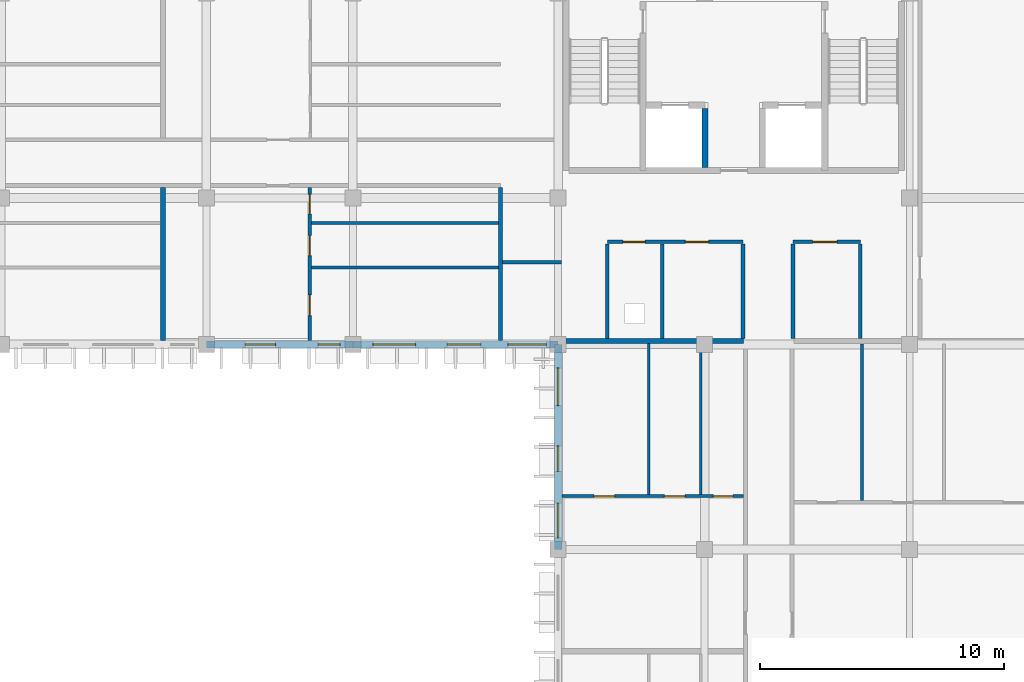
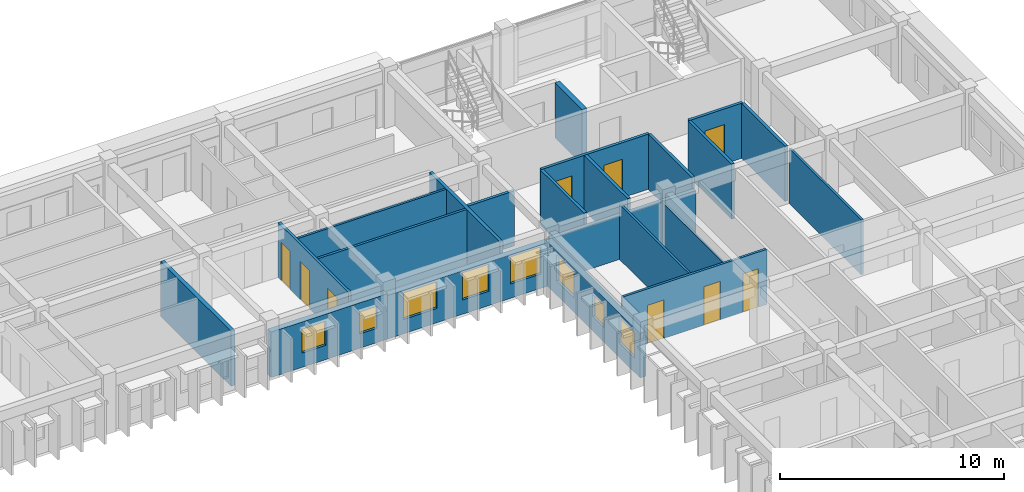
# One storey, part 35 of 66: 22 walls, 9 doors, 8 windows, 17 openings.
"""IFC4 building model written with IfcOpenShell, lengths in metres."""

from ifc_helpers import new_model, si_unit, direction, frame, frame_2d, origin, place, context, subcontext, project, spatial, rectangle, extrude, material, layer, layer_set, type_object, element, fill, save


model = new_model("IFC4")

# Units and contexts
model_context = context("Model", 3, precision=1e-05, world=origin(), true_north=direction((0.0, 1.0)))
body_context = subcontext(model_context, "Body", "Model", "MODEL_VIEW")
ifc_project = project(units=[si_unit("LENGTHUNIT", "METRE"), si_unit("AREAUNIT", "SQUARE_METRE"), si_unit("VOLUMEUNIT", "CUBIC_METRE"), si_unit("PLANEANGLEUNIT", "RADIAN"), si_unit("MASSUNIT", "GRAM", prefix="KILO"), si_unit("THERMODYNAMICTEMPERATUREUNIT", "KELVIN")], contexts=[model_context])

# Site, building, storey
site_placement = place(None, origin())
site = spatial("IfcSite", under=ifc_project, at=site_placement, CompositionType="ELEMENT")
building_placement = place(site_placement, origin())
building = spatial("IfcBuilding", under=site, at=building_placement, Name="Thalorik Housing Commons", CompositionType="ELEMENT")
storey_placement = place(building_placement, frame((0.0, 0.0, 21.300048828125)))
storey = spatial("IfcBuildingStorey", under=building, at=storey_placement, Name="L06", CompositionType="ELEMENT", Elevation=21.300048828125)

# Walls
ifc_material_1 = material(Name="Concrete C40/50", Category="concrete")
ifc_layer_1 = layer(ifc_material_1, 0.25, Name="Concrete C40/50", Category="concrete")
ifc_layer_set_1 = layer_set([ifc_layer_1], Name="Concrete C40/50")
wall_type_1 = type_object("IfcWallType", Name="ARC-WAL-CORE-250", PredefinedType="SHEAR", material=ifc_layer_set_1)
wall_1_placement = place(storey_placement, frame((158.425048828125, 118.875, 0.0), z_axis=(0.0, 0.0, 1.0), x_axis=(0.0, -1.0, 0.0)))
element("IfcWall", 1, at=wall_1_placement, inside=storey, type_object=wall_type_1, Name="L06 Lift 1 Cheek Wall", PredefinedType="SHEAR", context=body_context, shape_type="SweptSolid", body=[
    extrude(rectangle(XDim=2.425048828125, YDim=0.25, at=frame_2d((1.21240234375, 0.0))), origin(), (0.0, 0.0, 1.0), 3.0),
])
ifc_material_2 = material(Name="Masonry fire-rated corridor wall", Category="masonry")
ifc_layer_2 = layer(ifc_material_2, 0.14990234375, Name="Masonry fire-rated corridor wall", Category="masonry")
ifc_layer_set_2 = layer_set([ifc_layer_2], Name="Masonry fire-rated corridor wall")
wall_type_2 = type_object("IfcWallType", Name="ARC-WAL-CORR-150", PredefinedType="PARTITIONING", material=ifc_layer_set_2)
wall_2_placement = place(storey_placement, frame((150.134521484375, 112.570068359375, 0.0), z_axis=(0.0, 0.0, 1.0), x_axis=(1.0, 0.0, 0.0)))
element("IfcWall", 2, at=wall_2_placement, inside=storey, type_object=wall_type_2, Name="L06 Block B Vestibule South Wall", PredefinedType="PARTITIONING", context=body_context, shape_type="SweptSolid", body=[
    extrude(rectangle(XDim=2.405517578125, YDim=0.14990234375, at=frame_2d((1.20263671875, 0.0))), origin(), (0.0, 0.0, 1.0), 3.0),
])
ifc_layer_3 = layer(ifc_material_2, 0.1650390625, Name="Masonry fire-rated corridor wall", Category="masonry")
ifc_layer_set_3 = layer_set([ifc_layer_3], Name="Masonry fire-rated corridor wall")
wall_type_3 = type_object("IfcWallType", Name="ARC-WAL-CORR-165", PredefinedType="PARTITIONING", material=ifc_layer_set_3)
wall_3_placement = place(storey_placement, frame((150.050048828125, 109.3544921875, 0.0), z_axis=(0.0, 0.0, 1.0), x_axis=(0.0, 1.0, 0.0)))
element("IfcWall", 3, at=wall_3_placement, inside=storey, type_object=wall_type_3, Name="L06 Block B Vestibule Cheek Wall", PredefinedType="PARTITIONING", context=body_context, shape_type="SweptSolid", body=[
    extrude(rectangle(XDim=6.281005859375, YDim=0.1650390625, at=frame_2d((3.140625, 0.0))), origin(), (0.0, 0.0, 1.0), 3.0),
])

# Wall, openings, windows
ifc_material_3 = material(Name="White precast concrete C40/50", Category="concrete")
ifc_layer_4 = layer(ifc_material_3, 0.304931640625, Name="White precast concrete C40/50", Category="concrete")
ifc_layer_set_4 = layer_set([ifc_layer_4], Name="White precast concrete C40/50")
wall_type_4 = type_object("IfcWallType", Name="ARC-WAL-EXT-305", PredefinedType="STANDARD", material=ifc_layer_set_4)
wall_4_placement = place(storey_placement, frame((138.0, 109.199951171875, 0.0), z_axis=(0.0, 0.0, 1.0), x_axis=(1.0, 0.0, 0.0)))
wall_4 = element("IfcWall", 4, at=wall_4_placement, inside=storey, type_object=wall_type_4, Name="L06 Exterior Wall WAL-EXT-L06-B-0622", PredefinedType="STANDARD", context=body_context, shape_type="SweptSolid", body=[
    extrude(rectangle(XDim=6.0, YDim=0.304931640625, at=frame_2d((3.0, 0.0))), origin(), (0.0, 0.0, 1.0), 2.474853515625),
])
opening_1_placement = place(wall_4_placement, frame((1.58740234375, 0.0, 0.780029296875)))
opening_1 = element("IfcOpeningElement", 5, at=opening_1_placement, cuts=wall_4, Name="Opening W-46", PredefinedType="OPENING", context=body_context, shape_type="SweptSolid", body=[
    extrude(rectangle(XDim=1.25, YDim=1.300048828125, at=frame_2d((0.625, 0.64990234375))), frame((0.0, 0.16259765625, 0.0), z_axis=(0.0, -1.0, 0.0), x_axis=(1.0, 0.0, 0.0)), (0.0, 0.0, 1.0), 0.324951171875),
])
opening_2_placement = place(wall_4_placement, frame((4.572509765625, 0.0, 0.780029296875)))
opening_2 = element("IfcOpeningElement", 6, at=opening_2_placement, cuts=wall_4, Name="Opening W-01", PredefinedType="OPENING", context=body_context, shape_type="SweptSolid", body=[
    extrude(rectangle(XDim=0.89990234375, YDim=1.199951171875, at=frame_2d((0.449951171875, 0.60009765625))), frame((0.0, 0.16259765625, 0.0), z_axis=(0.0, -1.0, 0.0), x_axis=(1.0, 0.0, 0.0)), (0.0, 0.0, 1.0), 0.324951171875),
])
ifc_material_4 = material(Name="Anodised aluminium and solar-control low-E glass", Category="aluminium")
window_type_1 = type_object("IfcWindowType", Name="ARC-WIN-01", PartitioningType="SINGLE_PANEL", PredefinedType="WINDOW", material=ifc_material_4)
window_1_placement = place(opening_2_placement, origin())
window_1 = element("IfcWindow", 7, at=window_1_placement, inside=storey, type_object=window_type_1, Name="L06 Facade Window 1132", OverallHeight=1.199951171875, OverallWidth=0.89990234375, PartitioningType="SINGLE_PANEL", PredefinedType="WINDOW", context=body_context, shape_type="SweptSolid", body=[
    extrude(rectangle(XDim=0.89990234375, YDim=1.199951171875, at=frame_2d((0.449951171875, 0.60009765625))), frame((0.0, 0.030029296875, 0.0), z_axis=(0.0, -1.0, 0.0), x_axis=(1.0, 0.0, 0.0)), (0.0, 0.0, 1.0), 0.06005859375),
])
fill(opening_2, window_1)
window_type_2 = type_object("IfcWindowType", Name="ARC-WIN-46", PartitioningType="SINGLE_PANEL", PredefinedType="WINDOW", material=ifc_material_4)
window_2_placement = place(opening_1_placement, origin())
window_2 = element("IfcWindow", 8, at=window_2_placement, inside=storey, type_object=window_type_2, Name="L06 Facade Window 1131", OverallHeight=1.300048828125, OverallWidth=1.25, PartitioningType="SINGLE_PANEL", PredefinedType="WINDOW", context=body_context, shape_type="SweptSolid", body=[
    extrude(rectangle(XDim=1.25, YDim=1.300048828125, at=frame_2d((0.625, 0.64990234375))), frame((0.0, 0.030029296875, 0.0), z_axis=(0.0, -1.0, 0.0), x_axis=(1.0, 0.0, 0.0)), (0.0, 0.0, 1.0), 0.06005859375),
])
fill(opening_1, window_2)

wall_5_placement = place(storey_placement, frame((144.0, 109.199951171875, 0.0), z_axis=(0.0, 0.0, 1.0), x_axis=(1.0, 0.0, 0.0)))
wall_5 = element("IfcWall", 9, at=wall_5_placement, inside=storey, type_object=wall_type_4, Name="L06 Exterior Wall WAL-EXT-L06-B-0623", PredefinedType="STANDARD", context=body_context, shape_type="SweptSolid", body=[
    extrude(rectangle(XDim=8.39990234375, YDim=0.304931640625, at=frame_2d((4.199951171875, 0.0))), origin(), (0.0, 0.0, 1.0), 2.375),
])
opening_3_placement = place(wall_5_placement, frame((0.81494140625, 0.0, 0.780029296875)))
opening_3 = element("IfcOpeningElement", 10, at=opening_3_placement, cuts=wall_5, Name="Opening W-17", PredefinedType="OPENING", context=body_context, shape_type="SweptSolid", body=[
    extrude(rectangle(XDim=1.75, YDim=1.449951171875, at=frame_2d((0.875, 0.72509765625))), frame((0.0, 0.16259765625, 0.0), z_axis=(0.0, -1.0, 0.0), x_axis=(1.0, 0.0, 0.0)), (0.0, 0.0, 1.0), 0.324951171875),
])
opening_4_placement = place(wall_5_placement, frame((3.860107421875, 0.0, 0.780029296875)))
opening_4 = element("IfcOpeningElement", 11, at=opening_4_placement, cuts=wall_5, Name="Opening W-49", PredefinedType="OPENING", context=body_context, shape_type="SweptSolid", body=[
    extrude(rectangle(XDim=1.3798828125, YDim=1.47998046875, at=frame_2d((0.68994140625, 0.739990234375))), frame((0.0, 0.16259765625, 0.0), z_axis=(0.0, -1.0, 0.0), x_axis=(1.0, 0.0, 0.0)), (0.0, 0.0, 1.0), 0.324951171875),
])
opening_5_placement = place(wall_5_placement, frame((6.340087890625, 0.0, 0.780029296875)))
opening_5 = element("IfcOpeningElement", 12, at=opening_5_placement, cuts=wall_5, Name="Opening W-53", PredefinedType="OPENING", context=body_context, shape_type="SweptSolid", body=[
    extrude(rectangle(XDim=1.580078125, YDim=1.47998046875, at=frame_2d((0.7900390625, 0.739990234375))), frame((0.0, 0.16259765625, 0.0), z_axis=(0.0, -1.0, 0.0), x_axis=(1.0, 0.0, 0.0)), (0.0, 0.0, 1.0), 0.324951171875),
])
window_type_3 = type_object("IfcWindowType", Name="ARC-WIN-17", PartitioningType="DOUBLE_PANEL_VERTICAL", PredefinedType="WINDOW", material=ifc_material_4)
window_3_placement = place(opening_3_placement, origin())
window_3 = element("IfcWindow", 13, at=window_3_placement, inside=storey, type_object=window_type_3, Name="L06 Facade Window 1133", OverallHeight=1.449951171875, OverallWidth=1.75, PartitioningType="DOUBLE_PANEL_VERTICAL", PredefinedType="WINDOW", context=body_context, shape_type="SweptSolid", body=[
    extrude(rectangle(XDim=1.75, YDim=1.449951171875, at=frame_2d((0.875, 0.72509765625))), frame((0.0, 0.030029296875, 0.0), z_axis=(0.0, -1.0, 0.0), x_axis=(1.0, 0.0, 0.0)), (0.0, 0.0, 1.0), 0.06005859375),
])
fill(opening_3, window_3)
window_type_4 = type_object("IfcWindowType", Name="ARC-WIN-49", PartitioningType="SINGLE_PANEL", PredefinedType="WINDOW", material=ifc_material_4)
window_4_placement = place(opening_4_placement, origin())
window_4 = element("IfcWindow", 14, at=window_4_placement, inside=storey, type_object=window_type_4, Name="L06 Facade Window 1134", OverallHeight=1.47998046875, OverallWidth=1.3798828125, PartitioningType="SINGLE_PANEL", PredefinedType="WINDOW", context=body_context, shape_type="SweptSolid", body=[
    extrude(rectangle(XDim=1.3798828125, YDim=1.47998046875, at=frame_2d((0.68994140625, 0.739990234375))), frame((0.0, 0.030029296875, 0.0), z_axis=(0.0, -1.0, 0.0), x_axis=(1.0, 0.0, 0.0)), (0.0, 0.0, 1.0), 0.06005859375),
])
fill(opening_4, window_4)
window_type_5 = type_object("IfcWindowType", Name="ARC-WIN-53", PartitioningType="SINGLE_PANEL", PredefinedType="WINDOW", material=ifc_material_4)
window_5_placement = place(opening_5_placement, origin())
window_5 = element("IfcWindow", 15, at=window_5_placement, inside=storey, type_object=window_type_5, Name="L06 Facade Window 1135", OverallHeight=1.47998046875, OverallWidth=1.580078125, PartitioningType="SINGLE_PANEL", PredefinedType="WINDOW", context=body_context, shape_type="SweptSolid", body=[
    extrude(rectangle(XDim=1.580078125, YDim=1.47998046875, at=frame_2d((0.7900390625, 0.739990234375))), frame((0.0, 0.030029296875, 0.0), z_axis=(0.0, -1.0, 0.0), x_axis=(1.0, 0.0, 0.0)), (0.0, 0.0, 1.0), 0.06005859375),
])
fill(opening_5, window_5)

wall_6_placement = place(storey_placement, frame((152.39990234375, 109.199951171875, 0.0), z_axis=(0.0, 0.0, 1.0), x_axis=(0.0, -1.0, 0.0)))
wall_6 = element("IfcWall", 16, at=wall_6_placement, inside=storey, type_object=wall_type_4, Name="L06 Exterior Wall WAL-EXT-L06-B-0624", PredefinedType="STANDARD", context=body_context, shape_type="SweptSolid", body=[
    extrude(rectangle(XDim=8.39990234375, YDim=0.304931640625, at=frame_2d((4.199951171875, 0.0))), origin(), (0.0, 0.0, 1.0), 2.425048828125),
])
opening_6_placement = place(wall_6_placement, frame((0.956298828125, 0.0, 0.780029296875)))
opening_6 = element("IfcOpeningElement", 17, at=opening_6_placement, cuts=wall_6, Name="Opening W-12", PredefinedType="OPENING", context=body_context, shape_type="SweptSolid", body=[
    extrude(rectangle(XDim=1.550048828125, YDim=1.39990234375, at=frame_2d((0.77490234375, 0.699951171875))), frame((0.0, 0.16259765625, 0.0), z_axis=(0.0, -1.0, 0.0), x_axis=(1.0, 0.0, 0.0)), (0.0, 0.0, 1.0), 0.324951171875),
])
opening_7_placement = place(wall_6_placement, frame((4.148681640625, 0.0, 0.780029296875)))
opening_7 = element("IfcOpeningElement", 18, at=opening_7_placement, cuts=wall_6, Name="Opening W-44", PredefinedType="OPENING", context=body_context, shape_type="SweptSolid", body=[
    extrude(rectangle(XDim=1.050048828125, YDim=1.199951171875, at=frame_2d((0.52490234375, 0.60009765625))), frame((0.0, 0.16259765625, 0.0), z_axis=(0.0, -1.0, 0.0), x_axis=(1.0, 0.0, 0.0)), (0.0, 0.0, 1.0), 0.324951171875),
])
opening_8_placement = place(wall_6_placement, frame((6.50244140625, 0.0, 0.780029296875)))
opening_8 = element("IfcOpeningElement", 19, at=opening_8_placement, cuts=wall_6, Name="Opening W-50", PredefinedType="OPENING", context=body_context, shape_type="SweptSolid", body=[
    extrude(rectangle(XDim=1.419921875, YDim=1.3798828125, at=frame_2d((0.7099609375, 0.68994140625))), frame((0.0, 0.16259765625, 0.0), z_axis=(0.0, -1.0, 0.0), x_axis=(1.0, 0.0, 0.0)), (0.0, 0.0, 1.0), 0.324951171875),
])
window_type_6 = type_object("IfcWindowType", Name="ARC-WIN-12", PartitioningType="SINGLE_PANEL", PredefinedType="WINDOW", material=ifc_material_4)
window_6_placement = place(opening_6_placement, origin())
window_6 = element("IfcWindow", 20, at=window_6_placement, inside=storey, type_object=window_type_6, Name="L06 Facade Window 1136", OverallHeight=1.39990234375, OverallWidth=1.550048828125, PartitioningType="SINGLE_PANEL", PredefinedType="WINDOW", context=body_context, shape_type="SweptSolid", body=[
    extrude(rectangle(XDim=1.550048828125, YDim=1.39990234375, at=frame_2d((0.77490234375, 0.699951171875))), frame((0.0, 0.030029296875, 0.0), z_axis=(0.0, -1.0, 0.0), x_axis=(1.0, 0.0, 0.0)), (0.0, 0.0, 1.0), 0.06005859375),
])
fill(opening_6, window_6)
window_type_7 = type_object("IfcWindowType", Name="ARC-WIN-44", PartitioningType="SINGLE_PANEL", PredefinedType="WINDOW", material=ifc_material_4)
window_7_placement = place(opening_7_placement, origin())
window_7 = element("IfcWindow", 21, at=window_7_placement, inside=storey, type_object=window_type_7, Name="L06 Facade Window 1137", OverallHeight=1.199951171875, OverallWidth=1.050048828125, PartitioningType="SINGLE_PANEL", PredefinedType="WINDOW", context=body_context, shape_type="SweptSolid", body=[
    extrude(rectangle(XDim=1.050048828125, YDim=1.199951171875, at=frame_2d((0.52490234375, 0.60009765625))), frame((0.0, 0.030029296875, 0.0), z_axis=(0.0, -1.0, 0.0), x_axis=(1.0, 0.0, 0.0)), (0.0, 0.0, 1.0), 0.06005859375),
])
fill(opening_7, window_7)
window_type_8 = type_object("IfcWindowType", Name="ARC-WIN-50", PartitioningType="SINGLE_PANEL", PredefinedType="WINDOW", material=ifc_material_4)
window_8_placement = place(opening_8_placement, origin())
window_8 = element("IfcWindow", 22, at=window_8_placement, inside=storey, type_object=window_type_8, Name="L06 Facade Window 1138", OverallHeight=1.3798828125, OverallWidth=1.419921875, PartitioningType="SINGLE_PANEL", PredefinedType="WINDOW", context=body_context, shape_type="SweptSolid", body=[
    extrude(rectangle(XDim=1.419921875, YDim=1.3798828125, at=frame_2d((0.7099609375, 0.68994140625))), frame((0.0, 0.030029296875, 0.0), z_axis=(0.0, -1.0, 0.0), x_axis=(1.0, 0.0, 0.0)), (0.0, 0.0, 1.0), 0.06005859375),
])
fill(opening_8, window_8)

# Walls
ifc_material_5 = material(Name="Gypsum light stud partition", Category="masonry")
ifc_layer_5 = layer(ifc_material_5, 0.10009765625, Name="Gypsum light stud partition", Category="masonry")
ifc_layer_set_5 = layer_set([ifc_layer_5], Name="Gypsum light stud partition")
wall_type_5 = type_object("IfcWallType", Name="ARC-WAL-PART-100", PredefinedType="PARTITIONING", material=ifc_layer_set_5)
wall_7_placement = place(storey_placement, frame((158.251220703125, 103.049560546875, 0.0), z_axis=(0.0, 0.0, 1.0), x_axis=(0.0, 1.0, 0.0)))
element("IfcWall", 23, at=wall_7_placement, inside=storey, type_object=wall_type_5, Name="L06 Unit 3 Wet Wall", PredefinedType="PARTITIONING", context=body_context, shape_type="SweptSolid", body=[
    extrude(rectangle(XDim=6.1884765625, YDim=0.10009765625, at=frame_2d((3.09423828125, 0.0))), origin(), (0.0, 0.0, 1.0), 2.425048828125),
])
ifc_material_6 = material(Name="Gypsum moisture-resistant partition", Category="masonry")
ifc_layer_6 = layer(ifc_material_6, 0.114990234375, Name="Gypsum moisture-resistant partition", Category="masonry")
ifc_layer_set_6 = layer_set([ifc_layer_6], Name="Gypsum moisture-resistant partition")
wall_type_6 = type_object("IfcWallType", Name="ARC-WAL-PART-115", PredefinedType="PARTITIONING", material=ifc_layer_set_6)
wall_8_placement = place(storey_placement, frame((142.306884765625, 114.169677734375, 0.0), z_axis=(0.0, 0.0, 1.0), x_axis=(1.0, 0.0, 0.0)))
element("IfcWall", 24, at=wall_8_placement, inside=storey, type_object=wall_type_6, Name="L06 Unit 4 Wet Wall", PredefinedType="PARTITIONING", context=body_context, shape_type="SweptSolid", body=[
    extrude(rectangle(XDim=7.65869140625, YDim=0.114990234375, at=frame_2d((3.829345703125, 0.0))), origin(), (0.0, 0.0, 1.0), 3.0),
])
wall_9_placement = place(storey_placement, frame((156.11767578125, 103.049560546875, 0.0), z_axis=(0.0, 0.0, 1.0), x_axis=(0.0, 1.0, 0.0)))
element("IfcWall", 25, at=wall_9_placement, inside=storey, type_object=wall_type_6, Name="L06 Unit 3 Bedroom Partition", PredefinedType="PARTITIONING", context=body_context, shape_type="SweptSolid", body=[
    extrude(rectangle(XDim=6.1884765625, YDim=0.114990234375, at=frame_2d((3.09423828125, 0.0))), origin(), (0.0, 0.0, 1.0), 3.0),
])
wall_10_placement = place(storey_placement, frame((164.850341796875, 102.802734375, 0.0), z_axis=(0.0, 0.0, 1.0), x_axis=(0.0, 1.0, 0.0)))
element("IfcWall", 26, at=wall_10_placement, inside=storey, type_object=wall_type_6, Name="L06 Unit 3B Wet Wall", PredefinedType="PARTITIONING", context=body_context, shape_type="SweptSolid", body=[
    extrude(rectangle(XDim=6.42529296875, YDim=0.114990234375, at=frame_2d((3.212646484375, 0.0))), origin(), (0.0, 0.0, 1.0), 3.0),
])
ifc_material_7 = material(Name="Gypsum acoustic stud partition", Category="masonry")
ifc_layer_7 = layer(ifc_material_7, 0.125, Name="Gypsum acoustic stud partition", Category="masonry")
ifc_layer_set_7 = layer_set([ifc_layer_7], Name="Gypsum acoustic stud partition")
wall_type_7 = type_object("IfcWallType", Name="ARC-WAL-PART-125", PredefinedType="PARTITIONING", material=ifc_layer_set_7)
wall_11_placement = place(storey_placement, frame((142.306884765625, 112.36083984375, 0.0), z_axis=(0.0, 0.0, 1.0), x_axis=(1.0, 0.0, 0.0)))
element("IfcWall", 27, at=wall_11_placement, inside=storey, type_object=wall_type_7, Name="L06 Unit 4 Bedroom Partition", PredefinedType="PARTITIONING", context=body_context, shape_type="SweptSolid", body=[
    extrude(rectangle(XDim=7.65869140625, YDim=0.125, at=frame_2d((3.829345703125, 0.0))), origin(), (0.0, 0.0, 1.0), 3.0),
])

# Wall, openings, doors
wall_12_placement = place(storey_placement, frame((152.554443359375, 102.985107421875, 0.0), z_axis=(0.0, 0.0, 1.0), x_axis=(1.0, 0.0, 0.0)))
wall_12 = element("IfcWall", 28, at=wall_12_placement, inside=storey, type_object=wall_type_7, Name="L06 Unit 3 Spine Partition", PredefinedType="PARTITIONING", context=body_context, shape_type="SweptSolid", body=[
    extrude(rectangle(XDim=7.448486328125, YDim=0.125, at=frame_2d((3.72412109375, 0.0))), origin(), (0.0, 0.0, 1.0), 3.0),
])
opening_9_placement = place(wall_12_placement, frame((1.309326171875, 0.0, 0.0)))
opening_9 = element("IfcOpeningElement", 29, at=opening_9_placement, cuts=wall_12, Name="Opening ID-1266", PredefinedType="OPENING", context=body_context, shape_type="SweptSolid", body=[
    extrude(rectangle(XDim=0.85009765625, YDim=2.10009765625, at=frame_2d((0.425048828125, 1.050048828125))), frame((0.0, 0.072509765625, 0.0), z_axis=(0.0, -1.0, 0.0), x_axis=(1.0, 0.0, 0.0)), (0.0, 0.0, 1.0), 0.14501953125),
])
opening_10_placement = place(wall_12_placement, frame((4.204833984375, 0.0, 0.0)))
opening_10 = element("IfcOpeningElement", 30, at=opening_10_placement, cuts=wall_12, Name="Opening ID-1267", PredefinedType="OPENING", context=body_context, shape_type="SweptSolid", body=[
    extrude(rectangle(XDim=0.85009765625, YDim=2.10009765625, at=frame_2d((0.425048828125, 1.050048828125))), frame((0.0, 0.072509765625, 0.0), z_axis=(0.0, -1.0, 0.0), x_axis=(1.0, 0.0, 0.0)), (0.0, 0.0, 1.0), 0.14501953125),
])
opening_11_placement = place(wall_12_placement, frame((6.211181640625, 0.0, 0.0)))
opening_11 = element("IfcOpeningElement", 31, at=opening_11_placement, cuts=wall_12, Name="Opening ID-1268", PredefinedType="OPENING", context=body_context, shape_type="SweptSolid", body=[
    extrude(rectangle(XDim=0.800048828125, YDim=2.10009765625, at=frame_2d((0.39990234375, 1.050048828125))), frame((0.0, 0.072509765625, 0.0), z_axis=(0.0, -1.0, 0.0), x_axis=(1.0, 0.0, 0.0)), (0.0, 0.0, 1.0), 0.14501953125),
])
ifc_material_8 = material(Name="Moisture-resistant timber", Category="wood")
door_type_1 = type_object("IfcDoorType", Name="ARC-DR-INT-800", OperationType="NOTDEFINED", PredefinedType="DOOR", material=ifc_material_8)
door_1_placement = place(opening_11_placement, origin())
door_1 = element("IfcDoor", 32, at=door_1_placement, inside=storey, type_object=door_type_1, Name="L06 Accessible Bathroom Door", OperationType="SINGLE_SWING_LEFT", OverallHeight=2.10009765625, OverallWidth=0.800048828125, PredefinedType="DOOR", context=body_context, shape_type="SweptSolid", body=[
    extrude(rectangle(XDim=0.800048828125, YDim=2.10009765625, at=frame_2d((0.39990234375, 1.050048828125))), frame((0.0, 0.02490234375, 0.0), z_axis=(0.0, -1.0, 0.0), x_axis=(1.0, 0.0, 0.0)), (0.0, 0.0, 1.0), 0.050048828125),
])
fill(opening_11, door_1)
ifc_material_9 = material(Name="Engineered oak timber", Category="wood")
door_type_2 = type_object("IfcDoorType", Name="ARC-DR-INT-850", OperationType="NOTDEFINED", PredefinedType="DOOR", material=ifc_material_9)
door_2_placement = place(opening_9_placement, origin())
door_2 = element("IfcDoor", 33, at=door_2_placement, inside=storey, type_object=door_type_2, Name="L06 Single Bedroom Door", OperationType="SINGLE_SWING_LEFT", OverallHeight=2.10009765625, OverallWidth=0.85009765625, PredefinedType="DOOR", context=body_context, shape_type="SweptSolid", body=[
    extrude(rectangle(XDim=0.85009765625, YDim=2.10009765625, at=frame_2d((0.425048828125, 1.050048828125))), frame((0.0, 0.02490234375, 0.0), z_axis=(0.0, -1.0, 0.0), x_axis=(1.0, 0.0, 0.0)), (0.0, 0.0, 1.0), 0.050048828125),
])
fill(opening_9, door_2)
door_3_placement = place(opening_10_placement, origin())
door_3 = element("IfcDoor", 34, at=door_3_placement, inside=storey, type_object=door_type_2, Name="L06 Eat-In Kitchen Door", OperationType="SINGLE_SWING_RIGHT", OverallHeight=2.10009765625, OverallWidth=0.85009765625, PredefinedType="DOOR", context=body_context, shape_type="SweptSolid", body=[
    extrude(rectangle(XDim=0.85009765625, YDim=2.10009765625, at=frame_2d((0.425048828125, 1.050048828125))), frame((0.0, 0.02490234375, 0.0), z_axis=(0.0, -1.0, 0.0), x_axis=(1.0, 0.0, 0.0)), (0.0, 0.0, 1.0), 0.050048828125),
])
fill(opening_10, door_3)

ifc_material_10 = material(Name="Ceramic masonry partition wall", Category="masonry")
ifc_layer_8 = layer(ifc_material_10, 0.139892578125, Name="Ceramic masonry partition wall", Category="masonry")
ifc_layer_set_8 = layer_set([ifc_layer_8], Name="Ceramic masonry partition wall")
wall_type_8 = type_object("IfcWallType", Name="ARC-WAL-PART-140", PredefinedType="PARTITIONING", material=ifc_layer_set_8)
wall_13_placement = place(storey_placement, frame((142.235107421875, 109.3544921875, 0.0), z_axis=(0.0, 0.0, 1.0), x_axis=(0.0, 1.0, 0.0)))
wall_13 = element("IfcWall", 35, at=wall_13_placement, inside=storey, type_object=wall_type_8, Name="L06 Unit 4 Spine Partition", PredefinedType="PARTITIONING", context=body_context, shape_type="SweptSolid", body=[
    extrude(rectangle(XDim=6.281005859375, YDim=0.139892578125, at=frame_2d((3.140625, 0.0))), origin(), (0.0, 0.0, 1.0), 3.0),
])
opening_12_placement = place(wall_13_placement, frame((1.031005859375, 0.0, 0.0)))
opening_12 = element("IfcOpeningElement", 36, at=opening_12_placement, cuts=wall_13, Name="Opening ID-1239", PredefinedType="OPENING", context=body_context, shape_type="SweptSolid", body=[
    extrude(rectangle(XDim=0.85009765625, YDim=2.10009765625, at=frame_2d((0.425048828125, 1.050048828125))), frame((0.0, 0.080078125, 0.0), z_axis=(0.0, -1.0, 0.0), x_axis=(1.0, 0.0, 0.0)), (0.0, 0.0, 1.0), 0.159912109375),
])
opening_13_placement = place(wall_13_placement, frame((3.485595703125, 0.0, 0.0)))
opening_13 = element("IfcOpeningElement", 37, at=opening_13_placement, cuts=wall_13, Name="Opening ID-1240", PredefinedType="OPENING", context=body_context, shape_type="SweptSolid", body=[
    extrude(rectangle(XDim=0.820068359375, YDim=2.080078125, at=frame_2d((0.41015625, 1.0400390625))), frame((0.0, 0.080078125, 0.0), z_axis=(0.0, -1.0, 0.0), x_axis=(1.0, 0.0, 0.0)), (0.0, 0.0, 1.0), 0.159912109375),
])
opening_14_placement = place(wall_13_placement, frame((5.190185546875, 0.0, 0.0)))
opening_14 = element("IfcOpeningElement", 38, at=opening_14_placement, cuts=wall_13, Name="Opening ID-1241", PredefinedType="OPENING", context=body_context, shape_type="SweptSolid", body=[
    extrude(rectangle(XDim=0.800048828125, YDim=2.10009765625, at=frame_2d((0.39990234375, 1.050048828125))), frame((0.0, 0.080078125, 0.0), z_axis=(0.0, -1.0, 0.0), x_axis=(1.0, 0.0, 0.0)), (0.0, 0.0, 1.0), 0.159912109375),
])
door_4_placement = place(opening_14_placement, origin())
door_4 = element("IfcDoor", 39, at=door_4_placement, inside=storey, type_object=door_type_1, Name="L06 Flat Bathroom Door", OperationType="SINGLE_SWING_RIGHT", OverallHeight=2.10009765625, OverallWidth=0.800048828125, PredefinedType="DOOR", context=body_context, shape_type="SweptSolid", body=[
    extrude(rectangle(XDim=0.800048828125, YDim=2.10009765625, at=frame_2d((0.39990234375, 1.050048828125))), frame((0.0, 0.02490234375, 0.0), z_axis=(0.0, -1.0, 0.0), x_axis=(1.0, 0.0, 0.0)), (0.0, 0.0, 1.0), 0.050048828125),
])
fill(opening_14, door_4)
door_type_3 = type_object("IfcDoorType", Name="ARC-DR-INT-820", OperationType="NOTDEFINED", PredefinedType="DOOR", material=ifc_material_9)
door_5_placement = place(opening_13_placement, origin())
door_5 = element("IfcDoor", 40, at=door_5_placement, inside=storey, type_object=door_type_3, Name="L06 Galley Kitchen Door", OperationType="SINGLE_SWING_LEFT", OverallHeight=2.080078125, OverallWidth=0.820068359375, PredefinedType="DOOR", context=body_context, shape_type="SweptSolid", body=[
    extrude(rectangle(XDim=0.820068359375, YDim=2.080078125, at=frame_2d((0.41015625, 1.0400390625))), frame((0.0, 0.02490234375, 0.0), z_axis=(0.0, -1.0, 0.0), x_axis=(1.0, 0.0, 0.0)), (0.0, 0.0, 1.0), 0.050048828125),
])
fill(opening_13, door_5)
door_6_placement = place(opening_12_placement, origin())
door_6 = element("IfcDoor", 41, at=door_6_placement, inside=storey, type_object=door_type_2, Name="L06 Single Bedroom Door", OperationType="SINGLE_SWING_RIGHT", OverallHeight=2.10009765625, OverallWidth=0.85009765625, PredefinedType="DOOR", context=body_context, shape_type="SweptSolid", body=[
    extrude(rectangle(XDim=0.85009765625, YDim=2.10009765625, at=frame_2d((0.425048828125, 1.050048828125))), frame((0.0, 0.02490234375, 0.0), z_axis=(0.0, -1.0, 0.0), x_axis=(1.0, 0.0, 0.0)), (0.0, 0.0, 1.0), 0.050048828125),
])
fill(opening_12, door_6)

# Walls
ifc_layer_9 = layer(ifc_material_10, 0.14794921875, Name="Ceramic masonry partition wall", Category="masonry")
ifc_layer_set_9 = layer_set([ifc_layer_9], Name="Ceramic masonry partition wall")
wall_type_9 = type_object("IfcWallType", Name="ARC-WAL-PART-150", PredefinedType="PARTITIONING", material=ifc_layer_set_9)
for number, where, z_axis, x_axis, name in (
    (42, (154.419921875, 113.323974609375, 0.0), (0.0, 0.0, 1.0), (0.0, -1.0, 0.0), "Core West Enclosing Wall"),
    (43, (156.675048828125, 113.323974609375, 0.0), (0.0, 0.0, 1.0), (0.0, -1.0, 0.0), "Riser Wall"),
    (44, (159.97509765625, 113.323974609375, 0.0), (0.0, 0.0, 1.0), (0.0, -1.0, 0.0), "Core Stem West Cheek Wall"),
):
    element("IfcWall", number, at=place(storey_placement, frame(where, z_axis=z_axis, x_axis=x_axis)), inside=storey, type_object=wall_type_9, Name=name, PredefinedType="PARTITIONING", context=body_context, shape_type="SweptSolid", body=[
        extrude(rectangle(XDim=3.882080078125, YDim=0.14794921875, at=frame_2d((1.94091796875, 0.0))), origin(), (0.0, 0.0, 1.0), 3.0),
    ])
for number, where, z_axis, x_axis, name in (
    (45, (162.02490234375, 113.323974609375, 0.0), (0.0, 0.0, 1.0), (0.0, -1.0, 0.0), "Core Stem East Cheek Wall"),
    (46, (164.780029296875, 113.323974609375, 0.0), (0.0, 0.0, 1.0), (0.0, -1.0, 0.0), "Core East Enclosing Wall"),
):
    element("IfcWall", number, at=place(storey_placement, frame(where, z_axis=z_axis, x_axis=x_axis)), inside=storey, type_object=wall_type_9, Name=name, PredefinedType="PARTITIONING", context=body_context, shape_type="SweptSolid", body=[
        extrude(rectangle(XDim=3.8720703125, YDim=0.14794921875, at=frame_2d((1.93603515625, 0.0))), origin(), (0.0, 0.0, 1.0), 3.0),
    ])

# Wall, openings, doors
wall_14_placement = place(storey_placement, frame((154.419921875, 113.39990234375, 0.0), z_axis=(0.0, 0.0, 1.0), x_axis=(1.0, 0.0, 0.0)))
wall_14 = element("IfcWall", 47, at=wall_14_placement, inside=storey, type_object=wall_type_9, Name="L06 Core B West Corridor Partition", PredefinedType="PARTITIONING", context=body_context, shape_type="SweptSolid", body=[
    extrude(rectangle(XDim=5.55517578125, YDim=0.14794921875, at=frame_2d((2.777587890625, 0.0))), origin(), (0.0, 0.0, 1.0), 3.0),
])
opening_15_placement = place(wall_14_placement, frame((0.64990234375, 0.0, 0.0)))
opening_15 = element("IfcOpeningElement", 48, at=opening_15_placement, cuts=wall_14, Name="Opening ID-0198", PredefinedType="OPENING", context=body_context, shape_type="SweptSolid", body=[
    extrude(rectangle(XDim=0.89990234375, YDim=2.10009765625, at=frame_2d((0.449951171875, 1.050048828125))), frame((0.0, 0.083984375, 0.0), z_axis=(0.0, -1.0, 0.0), x_axis=(1.0, 0.0, 0.0)), (0.0, 0.0, 1.0), 0.16796875),
])
opening_16_placement = place(wall_14_placement, frame((3.199951171875, 0.0, 0.0)))
opening_16 = element("IfcOpeningElement", 49, at=opening_16_placement, cuts=wall_14, Name="Opening ID-0199", PredefinedType="OPENING", context=body_context, shape_type="SweptSolid", body=[
    extrude(rectangle(XDim=0.949951171875, YDim=2.10009765625, at=frame_2d((0.47509765625, 1.050048828125))), frame((0.0, 0.083984375, 0.0), z_axis=(0.0, -1.0, 0.0), x_axis=(1.0, 0.0, 0.0)), (0.0, 0.0, 1.0), 0.16796875),
])
ifc_material_11 = material(Name="Steel S355", Category="steel")
door_type_4 = type_object("IfcDoorType", Name="ARC-DR-FD60-900", OperationType="NOTDEFINED", PredefinedType="DOOR", material=ifc_material_11)
door_7_placement = place(opening_15_placement, origin())
door_7 = element("IfcDoor", 50, at=door_7_placement, inside=storey, type_object=door_type_4, Name="Electrical Riser Door", OperationType="SINGLE_SWING_LEFT", OverallHeight=2.10009765625, OverallWidth=0.89990234375, PredefinedType="DOOR", context=body_context, shape_type="SweptSolid", body=[
    extrude(rectangle(XDim=0.89990234375, YDim=2.10009765625, at=frame_2d((0.449951171875, 1.050048828125))), frame((0.0, 0.02490234375, 0.0), z_axis=(0.0, -1.0, 0.0), x_axis=(1.0, 0.0, 0.0)), (0.0, 0.0, 1.0), 0.050048828125),
])
fill(opening_15, door_7)
door_type_5 = type_object("IfcDoorType", Name="ARC-DR-INT-950", OperationType="NOTDEFINED", PredefinedType="DOOR", material=ifc_material_9)
door_8_placement = place(opening_16_placement, origin())
door_8 = element("IfcDoor", 51, at=door_8_placement, inside=storey, type_object=door_type_5, Name="Accessible Bathroom Door", OperationType="SINGLE_SWING_RIGHT", OverallHeight=2.10009765625, OverallWidth=0.949951171875, PredefinedType="DOOR", context=body_context, shape_type="SweptSolid", body=[
    extrude(rectangle(XDim=0.949951171875, YDim=2.10009765625, at=frame_2d((0.47509765625, 1.050048828125))), frame((0.0, 0.02490234375, 0.0), z_axis=(0.0, -1.0, 0.0), x_axis=(1.0, 0.0, 0.0)), (0.0, 0.0, 1.0), 0.050048828125),
])
fill(opening_16, door_8)

# Wall, opening, door
wall_15_placement = place(storey_placement, frame((162.02490234375, 113.39990234375, 0.0), z_axis=(0.0, 0.0, 1.0), x_axis=(1.0, 0.0, 0.0)))
wall_15 = element("IfcWall", 52, at=wall_15_placement, inside=storey, type_object=wall_type_9, Name="L06 Core B East Corridor Partition", PredefinedType="PARTITIONING", context=body_context, shape_type="SweptSolid", body=[
    extrude(rectangle(XDim=2.755126953125, YDim=0.14794921875, at=frame_2d((1.37744140625, 0.0))), origin(), (0.0, 0.0, 1.0), 3.0),
])
opening_17_placement = place(wall_15_placement, frame((0.800048828125, 0.0, 0.0)))
opening_17 = element("IfcOpeningElement", 53, at=opening_17_placement, cuts=wall_15, Name="Opening ID-0200", PredefinedType="OPENING", context=body_context, shape_type="SweptSolid", body=[
    extrude(rectangle(XDim=1.0, YDim=2.14990234375, at=frame_2d((0.5, 1.074951171875))), frame((0.0, 0.083984375, 0.0), z_axis=(0.0, -1.0, 0.0), x_axis=(1.0, 0.0, 0.0)), (0.0, 0.0, 1.0), 0.16796875),
])
door_type_6 = type_object("IfcDoorType", Name="ARC-DR-FD60-1000", OperationType="NOTDEFINED", PredefinedType="DOOR", material=ifc_material_11)
door_9_placement = place(opening_17_placement, origin())
door_9 = element("IfcDoor", 54, at=door_9_placement, inside=storey, type_object=door_type_6, Name="Core Hub Room Door", OperationType="SINGLE_SWING_LEFT", OverallHeight=2.14990234375, OverallWidth=1.0, PredefinedType="DOOR", context=body_context, shape_type="SweptSolid", body=[
    extrude(rectangle(XDim=1.0, YDim=2.14990234375, at=frame_2d((0.5, 1.074951171875))), frame((0.0, 0.02490234375, 0.0), z_axis=(0.0, -1.0, 0.0), x_axis=(1.0, 0.0, 0.0)), (0.0, 0.0, 1.0), 0.050048828125),
])
fill(opening_17, door_9)

# Walls
ifc_material_12 = material(Name="Precast concrete C40/50 acoustic wall", Category="concrete")
ifc_layer_10 = layer(ifc_material_12, 0.199951171875, Name="Precast concrete C40/50 acoustic wall", Category="concrete")
ifc_layer_set_10 = layer_set([ifc_layer_10], Name="Precast concrete C40/50 acoustic wall")
wall_type_10 = type_object("IfcWallType", Name="ARC-WAL-PARTY-200", PredefinedType="PARTITIONING", material=ifc_layer_set_10)
wall_16_placement = place(storey_placement, frame((136.219970703125, 109.3544921875, 0.0), z_axis=(0.0, 0.0, 1.0), x_axis=(0.0, 1.0, 0.0)))
element("IfcWall", 55, at=wall_16_placement, inside=storey, type_object=wall_type_10, Name="L06 Inter-Tenancy Wall 3A", PredefinedType="PARTITIONING", context=body_context, shape_type="SweptSolid", body=[
    extrude(rectangle(XDim=6.281005859375, YDim=0.199951171875, at=frame_2d((3.140625, 0.0))), origin(), (0.0, 0.0, 1.0), 3.0),
])
wall_17_placement = place(storey_placement, frame((152.4599609375, 109.340087890625, 0.0), z_axis=(0.0, 0.0, 1.0), x_axis=(1.0, 0.0, 0.0)))
element("IfcWall", 56, at=wall_17_placement, inside=storey, type_object=wall_type_10, Name="L06 Core End Wall A", PredefinedType="PARTITIONING", context=body_context, shape_type="SweptSolid", body=[
    extrude(rectangle(XDim=7.54296875, YDim=0.199951171875, at=frame_2d((3.771484375, 0.0))), origin(), (0.0, 0.0, 1.0), 2.375),
])

save(model, "model.ifc")
